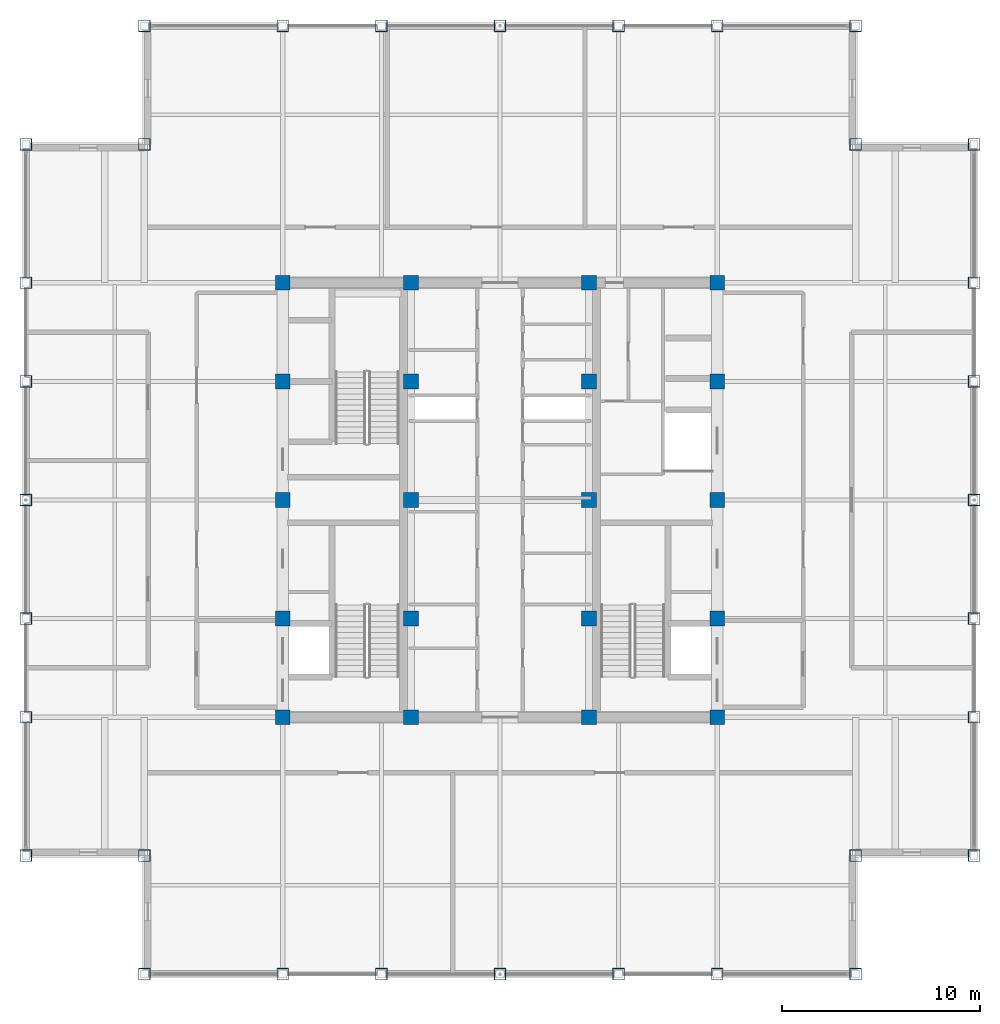
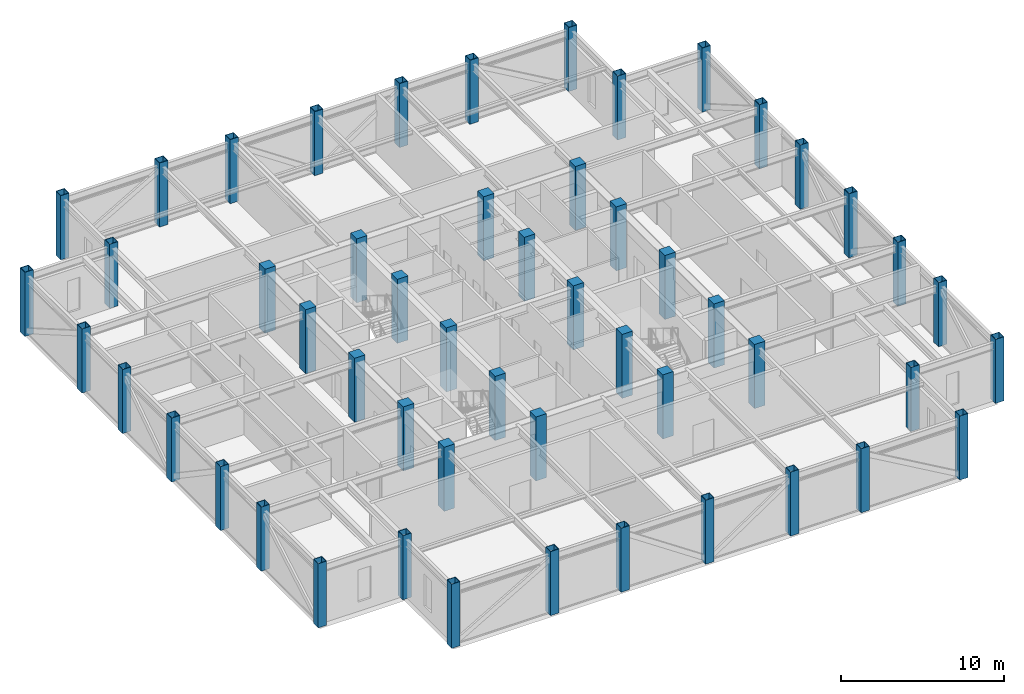
# One storey, part 1 of 27: 52 columns.
"""IFC4 building model written with IfcOpenShell, lengths in metres."""

from ifc_helpers import new_model, si_unit, direction, frame, origin, origin_2d, place, context, subcontext, project, spatial, rectangle, hollow_rectangle, extrude, source, transform, mapped, material, material_profile, profile_set, type_object, element, save


model = new_model("IFC4")

# Units and contexts
model_context = context("Model", 3, precision=1e-05, world=origin(), true_north=direction((0.0, 1.0)))
body_context = subcontext(model_context, "Body", "Model", "MODEL_VIEW")
ifc_project = project(units=[si_unit("LENGTHUNIT", "METRE"), si_unit("AREAUNIT", "SQUARE_METRE"), si_unit("VOLUMEUNIT", "CUBIC_METRE"), si_unit("PLANEANGLEUNIT", "RADIAN"), si_unit("MASSUNIT", "GRAM", prefix="KILO")], contexts=[model_context])

# Site, building, storey
site_placement = place(None, origin())
site = spatial("IfcSite", under=ifc_project, at=site_placement, CompositionType="ELEMENT")
building_placement = place(site_placement, origin())
building = spatial("IfcBuilding", under=site, at=building_placement, Name="Khorayat Bourse Tower", CompositionType="ELEMENT")
storey_placement = place(building_placement, frame((0.0, 0.0, 380.300048828125)))
storey = spatial("IfcBuildingStorey", under=building, at=storey_placement, Name="L90", CompositionType="ELEMENT", Elevation=380.300048828125)

# Columns
ifc_material_1 = material(Name="Concrete C52/65", Category="concrete")
ifc_material_profile_1 = material_profile(ifc_material_1, rectangle(XDim=0.75, YDim=0.75, at=origin_2d()), Name="RC 750x750")
ifc_profile_set_1 = profile_set([ifc_material_profile_1], Name="Concrete C52/65")
column_type_1 = type_object("IfcColumnType", Name="COL-CORE-750", PredefinedType="COLUMN", material=ifc_profile_set_1)
shared_shape_1 = source(origin(), body_context, "Body", "SweptSolid", [
    extrude(rectangle(XDim=0.75, YDim=0.75, at=origin_2d()), origin(), (0.0, 0.0, 1.0), 4.800048828125),
])
for number, where, z_axis, x_axis, name in (
    (1, (-11.0, -11.0, 0.0), (0.0, 0.0, 1.0), (1.0, 0.0, 0.0), "L90 Column 013"),
    (2, (-11.0, -6.0, 0.0), (0.0, 0.0, 1.0), (1.0, 0.0, 0.0), "L90 Column 014"),
    (3, (-11.0, 0.0, 0.0), (0.0, 0.0, 1.0), (1.0, 0.0, 0.0), "L90 Column 015"),
    (4, (-11.0, 6.0, 0.0), (0.0, 0.0, 1.0), (1.0, 0.0, 0.0), "L90 Column 016"),
    (5, (-11.0, 11.0, 0.0), (0.0, 0.0, 1.0), (1.0, 0.0, 0.0), "L90 Column 017"),
    (6, (-4.5, -11.0, 0.0), (0.0, 0.0, 1.0), (1.0, 0.0, 0.0), "L90 Column 021"),
    (7, (-4.5, -6.0, 0.0), (0.0, 0.0, 1.0), (1.0, 0.0, 0.0), "L90 Column 022"),
    (8, (-4.5, 0.0, 0.0), (0.0, 0.0, 1.0), (1.0, 0.0, 0.0), "L90 Column 023"),
    (9, (-4.5, 6.0, 0.0), (0.0, 0.0, 1.0), (1.0, 0.0, 0.0), "L90 Column 024"),
    (10, (-4.5, 11.0, 0.0), (0.0, 0.0, 1.0), (1.0, 0.0, 0.0), "L90 Column 025"),
    (11, (4.5, -11.0, 0.0), (0.0, 0.0, 1.0), (1.0, 0.0, 0.0), "L90 Column 028"),
    (12, (4.5, -6.0, 0.0), (0.0, 0.0, 1.0), (1.0, 0.0, 0.0), "L90 Column 029"),
    (13, (4.5, 0.0, 0.0), (0.0, 0.0, 1.0), (1.0, 0.0, 0.0), "L90 Column 030"),
    (14, (4.5, 6.0, 0.0), (0.0, 0.0, 1.0), (1.0, 0.0, 0.0), "L90 Column 031"),
    (15, (4.5, 11.0, 0.0), (0.0, 0.0, 1.0), (1.0, 0.0, 0.0), "L90 Column 032"),
    (16, (11.0, -11.0, 0.0), (0.0, 0.0, 1.0), (1.0, 0.0, 0.0), "L90 Column 036"),
    (17, (11.0, -6.0, 0.0), (0.0, 0.0, 1.0), (1.0, 0.0, 0.0), "L90 Column 037"),
    (18, (11.0, 0.0, 0.0), (0.0, 0.0, 1.0), (1.0, 0.0, 0.0), "L90 Column 038"),
    (19, (11.0, 6.0, 0.0), (0.0, 0.0, 1.0), (1.0, 0.0, 0.0), "L90 Column 039"),
    (20, (11.0, 11.0, 0.0), (0.0, 0.0, 1.0), (1.0, 0.0, 0.0), "L90 Column 040"),
):
    element("IfcColumn", number, at=place(storey_placement, frame(where, z_axis=z_axis, x_axis=x_axis)), inside=storey, type_object=column_type_1, Name=name, PredefinedType="COLUMN", context=body_context, shape_type="MappedRepresentation", body=[
        mapped(shared_shape_1, transform((0.0, 0.0, 0.0), scale=1.0)),
    ])
ifc_material_2 = material(Name="Steel EN 10025-2 S355J2", Category="steel")
ifc_material_profile_2 = material_profile(ifc_material_2, hollow_rectangle(XDim=0.60009765625, YDim=0.60009765625, WallThickness=0.034912109375, at=origin_2d()), Name="BOX 600x600x35")
ifc_profile_set_2 = profile_set([ifc_material_profile_2], Name="Steel EN 10025-2 S355J2")
column_type_2 = type_object("IfcColumnType", Name="COL-CROWN-600", PredefinedType="COLUMN", material=ifc_profile_set_2)
shared_shape_2 = source(origin(), body_context, "Body", "SweptSolid", [
    extrude(hollow_rectangle(XDim=0.60009765625, YDim=0.60009765625, WallThickness=0.034912109375, at=origin_2d()), origin(), (0.0, 0.0, 1.0), 4.800048828125),
])
for number, where, z_axis, x_axis, name in (
    (21, (-24.0, -18.0, 0.0), (0.0, 0.0, 1.0), (1.0, 0.0, 0.0), "L90 Column 001"),
    (22, (-24.0, -11.0, 0.0), (0.0, 0.0, 1.0), (1.0, 0.0, 0.0), "L90 Column 002"),
    (23, (-24.0, -6.0, 0.0), (0.0, 0.0, 1.0), (1.0, 0.0, 0.0), "L90 Column 003"),
    (24, (-24.0, 0.0, 0.0), (0.0, 0.0, 1.0), (1.0, 0.0, 0.0), "L90 Column 004"),
    (25, (-24.0, 6.0, 0.0), (0.0, 0.0, 1.0), (1.0, 0.0, 0.0), "L90 Column 005"),
    (26, (-24.0, 11.0, 0.0), (0.0, 0.0, 1.0), (1.0, 0.0, 0.0), "L90 Column 006"),
    (27, (-24.0, 18.0, 0.0), (0.0, 0.0, 1.0), (1.0, 0.0, 0.0), "L90 Column 007"),
    (28, (-18.0, -24.0, 0.0), (0.0, 0.0, 1.0), (1.0, 0.0, 0.0), "L90 Column 008"),
    (29, (-18.0, -18.0, 0.0), (0.0, 0.0, 1.0), (1.0, 0.0, 0.0), "L90 Column 009"),
    (30, (-18.0, 18.0, 0.0), (0.0, 0.0, 1.0), (1.0, 0.0, 0.0), "L90 Column 010"),
    (31, (-18.0, 24.0, 0.0), (0.0, 0.0, 1.0), (1.0, 0.0, 0.0), "L90 Column 011"),
    (32, (-11.0, -24.0, 0.0), (0.0, 0.0, 1.0), (1.0, 0.0, 0.0), "L90 Column 012"),
    (33, (-11.0, 24.0, 0.0), (0.0, 0.0, 1.0), (1.0, 0.0, 0.0), "L90 Column 018"),
    (34, (-6.0, -24.0, 0.0), (0.0, 0.0, 1.0), (1.0, 0.0, 0.0), "L90 Column 019"),
    (35, (-6.0, 24.0, 0.0), (0.0, 0.0, 1.0), (1.0, 0.0, 0.0), "L90 Column 020"),
    (36, (0.0, -24.0, 0.0), (0.0, 0.0, 1.0), (1.0, 0.0, 0.0), "L90 Column 026"),
    (37, (0.0, 24.0, 0.0), (0.0, 0.0, 1.0), (1.0, 0.0, 0.0), "L90 Column 027"),
    (38, (6.0, -24.0, 0.0), (0.0, 0.0, 1.0), (1.0, 0.0, 0.0), "L90 Column 033"),
    (39, (6.0, 24.0, 0.0), (0.0, 0.0, 1.0), (1.0, 0.0, 0.0), "L90 Column 034"),
    (40, (11.0, -24.0, 0.0), (0.0, 0.0, 1.0), (1.0, 0.0, 0.0), "L90 Column 035"),
    (41, (11.0, 24.0, 0.0), (0.0, 0.0, 1.0), (1.0, 0.0, 0.0), "L90 Column 041"),
    (42, (18.0, -24.0, 0.0), (0.0, 0.0, 1.0), (1.0, 0.0, 0.0), "L90 Column 042"),
    (43, (18.0, -18.0, 0.0), (0.0, 0.0, 1.0), (1.0, 0.0, 0.0), "L90 Column 043"),
    (44, (18.0, 18.0, 0.0), (0.0, 0.0, 1.0), (1.0, 0.0, 0.0), "L90 Column 044"),
    (45, (18.0, 24.0, 0.0), (0.0, 0.0, 1.0), (1.0, 0.0, 0.0), "L90 Column 045"),
    (46, (24.0, -18.0, 0.0), (0.0, 0.0, 1.0), (1.0, 0.0, 0.0), "L90 Column 046"),
    (47, (24.0, -11.0, 0.0), (0.0, 0.0, 1.0), (1.0, 0.0, 0.0), "L90 Column 047"),
    (48, (24.0, -6.0, 0.0), (0.0, 0.0, 1.0), (1.0, 0.0, 0.0), "L90 Column 048"),
    (49, (24.0, 0.0, 0.0), (0.0, 0.0, 1.0), (1.0, 0.0, 0.0), "L90 Column 049"),
    (50, (24.0, 6.0, 0.0), (0.0, 0.0, 1.0), (1.0, 0.0, 0.0), "L90 Column 050"),
    (51, (24.0, 11.0, 0.0), (0.0, 0.0, 1.0), (1.0, 0.0, 0.0), "L90 Column 051"),
    (52, (24.0, 18.0, 0.0), (0.0, 0.0, 1.0), (1.0, 0.0, 0.0), "L90 Column 052"),
):
    element("IfcColumn", number, at=place(storey_placement, frame(where, z_axis=z_axis, x_axis=x_axis)), inside=storey, type_object=column_type_2, Name=name, PredefinedType="COLUMN", context=body_context, shape_type="MappedRepresentation", body=[
        mapped(shared_shape_2, transform((0.0, 0.0, 0.0), scale=1.0)),
    ])

save(model, "model.ifc")
